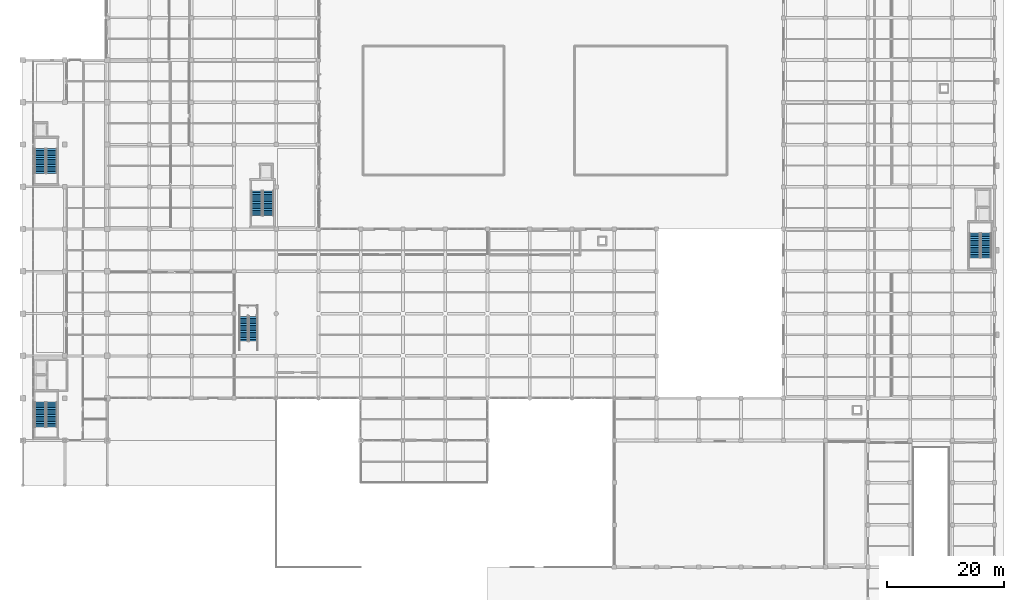
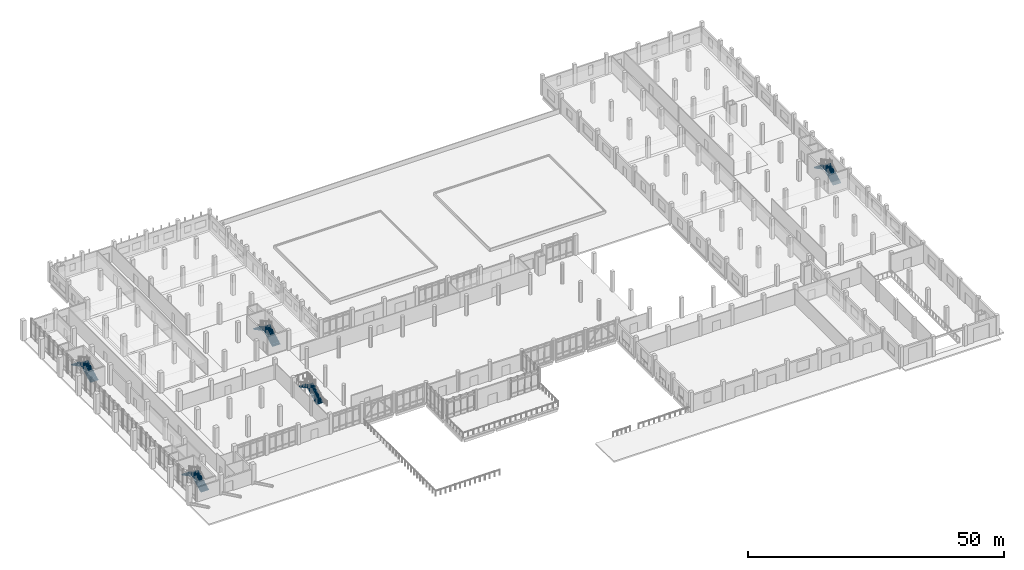
# One storey, part 44 of 59: 10 stair flights, 5 elements without a shape of their own.
"""IFC4 building model written with IfcOpenShell, lengths in metres."""

from ifc_helpers import new_model, si_unit, direction, frame, origin, place, context, subcontext, project, spatial, polyline, outline, extrude, material, type_object, element, aggregate, save


model = new_model("IFC4")

# Units and contexts
model_context = context("Model", 3, precision=1e-05, world=origin(), true_north=direction((0.0, 1.0)))
body_context = subcontext(model_context, "Body", "Model", "MODEL_VIEW")
ifc_project = project(units=[si_unit("LENGTHUNIT", "METRE"), si_unit("AREAUNIT", "SQUARE_METRE"), si_unit("VOLUMEUNIT", "CUBIC_METRE"), si_unit("PLANEANGLEUNIT", "RADIAN"), si_unit("MASSUNIT", "GRAM", prefix="KILO")], contexts=[model_context])

# Site, building, storey
site_placement = place(None, origin())
site = spatial("IfcSite", under=ifc_project, at=site_placement, CompositionType="ELEMENT")
building_placement = place(site_placement, origin())
building = spatial("IfcBuilding", under=site, at=building_placement, Name="Valkovuoma Quantum and Materials Research Institute", CompositionType="ELEMENT")
storey_placement = place(building_placement, origin())
storey = spatial("IfcBuildingStorey", under=building, at=storey_placement, Name="L00", CompositionType="ELEMENT", Elevation=0.0)

# Stair, stair flights
ifc_material_1 = material(Name="Concrete C40/50", Category="concrete")
stair_type_1 = type_object("IfcStairType", Name="Stair-ST-COR", PredefinedType="HALF_TURN_STAIR", material=ifc_material_1)
stair_1_placement = place(storey_placement, origin())
stair_1 = element("IfcStair", 1, at=stair_1_placement, inside=storey, type_object=stair_type_1, Name="L00 Exit Stair ST-1", PredefinedType="HALF_TURN_STAIR")
ifc_material_2 = material(Name="Concrete C40/50", Category="concrete")
stair_flight_type_1 = type_object("IfcStairFlightType", Name="Flight-STF-145", PredefinedType="STRAIGHT", material=ifc_material_2)
stair_flight_1_placement = place(storey_placement, frame((4.949951171875, 31.10009765625, 0.0), z_axis=(0.0, 0.0, 1.0), x_axis=(0.0, 1.0, 0.0)))
stair_flight_1 = element("IfcStairFlight", 2, at=stair_flight_1_placement, type_object=stair_flight_type_1, Name="ST-1 flight 1", NumberOfRisers=15, NumberOfTreads=14, PredefinedType="STRAIGHT", RiserHeight=0.16, TreadLength=0.3, context=body_context, shape_type="SweptSolid", body=[
    extrude(outline(polyline([(0.0, 0.0), (0.0, 0.159912109375), (0.300048828125, 0.159912109375), (0.300048828125, 0.320068359375), (0.60009765625, 0.320068359375), (0.60009765625, 0.47998046875), (0.89990234375, 0.47998046875), (0.89990234375, 0.639892578125), (1.199951171875, 0.639892578125), (1.199951171875, 0.800048828125), (1.5, 0.800048828125), (1.5, 0.9599609375), (1.800048828125, 0.9599609375), (1.800048828125, 1.1201171875), (2.10009765625, 1.1201171875), (2.10009765625, 1.280029296875), (2.39990234375, 1.280029296875), (2.39990234375, 1.43994140625), (2.699951171875, 1.43994140625), (2.699951171875, 1.60009765625), (3.0, 1.60009765625), (3.0, 1.760009765625), (3.300048828125, 1.760009765625), (3.300048828125, 1.919921875), (3.60009765625, 1.919921875), (3.60009765625, 2.080078125), (3.89990234375, 2.080078125), (3.89990234375, 2.239990234375), (4.199951171875, 2.239990234375), (4.199951171875, 2.39990234375), (4.199951171875, 2.070068359375), (0.318603515625, 0.0), (0.0, 0.0)])), frame((0.0, 0.89990234375, 0.0), z_axis=(0.0, -1.0, 0.0), x_axis=(1.0, 0.0, 0.0)), (0.0, 0.0, 1.0), 1.800048828125),
])
stair_flight_2_placement = place(storey_placement, frame((3.0, 35.300048828125, 2.39990234375), z_axis=(0.0, 0.0, 1.0), x_axis=(0.0, -1.0, 0.0)))
stair_flight_2 = element("IfcStairFlight", 3, at=stair_flight_2_placement, type_object=stair_flight_type_1, Name="ST-1 flight 2", NumberOfRisers=15, NumberOfTreads=14, PredefinedType="STRAIGHT", RiserHeight=0.16, TreadLength=0.3, context=body_context, shape_type="SweptSolid", body=[
    extrude(outline(polyline([(0.0, 0.0), (0.0, 0.159912109375), (0.300048828125, 0.159912109375), (0.300048828125, 0.320068359375), (0.60009765625, 0.320068359375), (0.60009765625, 0.47998046875), (0.89990234375, 0.47998046875), (0.89990234375, 0.639892578125), (1.199951171875, 0.639892578125), (1.199951171875, 0.800048828125), (1.5, 0.800048828125), (1.5, 0.9599609375), (1.800048828125, 0.9599609375), (1.800048828125, 1.1201171875), (2.10009765625, 1.1201171875), (2.10009765625, 1.280029296875), (2.39990234375, 1.280029296875), (2.39990234375, 1.43994140625), (2.699951171875, 1.43994140625), (2.699951171875, 1.60009765625), (3.0, 1.60009765625), (3.0, 1.760009765625), (3.300048828125, 1.760009765625), (3.300048828125, 1.919921875), (3.60009765625, 1.919921875), (3.60009765625, 2.080078125), (3.89990234375, 2.080078125), (3.89990234375, 2.239990234375), (4.199951171875, 2.239990234375), (4.199951171875, 2.39990234375), (4.199951171875, 2.070068359375), (0.318603515625, 0.0), (0.0, 0.0)])), frame((0.0, 0.89990234375, 0.0), z_axis=(0.0, -1.0, 0.0), x_axis=(1.0, 0.0, 0.0)), (0.0, 0.0, 1.0), 1.800048828125),
])
aggregate(stair_1, [stair_flight_1, stair_flight_2])

stair_2_placement = place(storey_placement, origin())
stair_2 = element("IfcStair", 4, at=stair_2_placement, inside=storey, type_object=stair_type_1, Name="L00 Exit Stair ST-2", PredefinedType="HALF_TURN_STAIR")
stair_flight_3_placement = place(storey_placement, frame((4.949951171875, 74.300048828125, 0.0), z_axis=(0.0, 0.0, 1.0), x_axis=(0.0, 1.0, 0.0)))
stair_flight_3 = element("IfcStairFlight", 5, at=stair_flight_3_placement, type_object=stair_flight_type_1, Name="ST-2 flight 1", NumberOfRisers=15, NumberOfTreads=14, PredefinedType="STRAIGHT", RiserHeight=0.16, TreadLength=0.3, context=body_context, shape_type="SweptSolid", body=[
    extrude(outline(polyline([(0.0, 0.0), (0.0, 0.159912109375), (0.300048828125, 0.159912109375), (0.300048828125, 0.320068359375), (0.60009765625, 0.320068359375), (0.60009765625, 0.47998046875), (0.89990234375, 0.47998046875), (0.89990234375, 0.639892578125), (1.199951171875, 0.639892578125), (1.199951171875, 0.800048828125), (1.5, 0.800048828125), (1.5, 0.9599609375), (1.800048828125, 0.9599609375), (1.800048828125, 1.1201171875), (2.10009765625, 1.1201171875), (2.10009765625, 1.280029296875), (2.39990234375, 1.280029296875), (2.39990234375, 1.43994140625), (2.699951171875, 1.43994140625), (2.699951171875, 1.60009765625), (3.0, 1.60009765625), (3.0, 1.760009765625), (3.300048828125, 1.760009765625), (3.300048828125, 1.919921875), (3.60009765625, 1.919921875), (3.60009765625, 2.080078125), (3.89990234375, 2.080078125), (3.89990234375, 2.239990234375), (4.199951171875, 2.239990234375), (4.199951171875, 2.39990234375), (4.199951171875, 2.070068359375), (0.318603515625, 0.0), (0.0, 0.0)])), frame((0.0, 0.89990234375, 0.0), z_axis=(0.0, -1.0, 0.0), x_axis=(1.0, 0.0, 0.0)), (0.0, 0.0, 1.0), 1.800048828125),
])
stair_flight_4_placement = place(storey_placement, frame((3.0, 78.5, 2.39990234375), z_axis=(0.0, 0.0, 1.0), x_axis=(0.0, -1.0, 0.0)))
stair_flight_4 = element("IfcStairFlight", 6, at=stair_flight_4_placement, type_object=stair_flight_type_1, Name="ST-2 flight 2", NumberOfRisers=15, NumberOfTreads=14, PredefinedType="STRAIGHT", RiserHeight=0.16, TreadLength=0.3, context=body_context, shape_type="SweptSolid", body=[
    extrude(outline(polyline([(0.0, 0.0), (0.0, 0.159912109375), (0.300048828125, 0.159912109375), (0.300048828125, 0.320068359375), (0.60009765625, 0.320068359375), (0.60009765625, 0.47998046875), (0.89990234375, 0.47998046875), (0.89990234375, 0.639892578125), (1.199951171875, 0.639892578125), (1.199951171875, 0.800048828125), (1.5, 0.800048828125), (1.5, 0.9599609375), (1.800048828125, 0.9599609375), (1.800048828125, 1.1201171875), (2.10009765625, 1.1201171875), (2.10009765625, 1.280029296875), (2.39990234375, 1.280029296875), (2.39990234375, 1.43994140625), (2.699951171875, 1.43994140625), (2.699951171875, 1.60009765625), (3.0, 1.60009765625), (3.0, 1.760009765625), (3.300048828125, 1.760009765625), (3.300048828125, 1.919921875), (3.60009765625, 1.919921875), (3.60009765625, 2.080078125), (3.89990234375, 2.080078125), (3.89990234375, 2.239990234375), (4.199951171875, 2.239990234375), (4.199951171875, 2.39990234375), (4.199951171875, 2.070068359375), (0.318603515625, 0.0), (0.0, 0.0)])), frame((0.0, 0.89990234375, 0.0), z_axis=(0.0, -1.0, 0.0), x_axis=(1.0, 0.0, 0.0)), (0.0, 0.0, 1.0), 1.800048828125),
])
aggregate(stair_2, [stair_flight_3, stair_flight_4])

stair_3_placement = place(storey_placement, origin())
stair_3 = element("IfcStair", 7, at=stair_3_placement, inside=storey, type_object=stair_type_1, Name="L00 Exit Stair ST-3", PredefinedType="HALF_TURN_STAIR")
stair_flight_5_placement = place(storey_placement, frame((164.14990234375, 59.89990234375, 0.0), z_axis=(0.0, 0.0, 1.0), x_axis=(0.0, 1.0, 0.0)))
stair_flight_5 = element("IfcStairFlight", 8, at=stair_flight_5_placement, type_object=stair_flight_type_1, Name="ST-3 flight 1", NumberOfRisers=15, NumberOfTreads=14, PredefinedType="STRAIGHT", RiserHeight=0.16, TreadLength=0.3, context=body_context, shape_type="SweptSolid", body=[
    extrude(outline(polyline([(0.0, 0.0), (0.0, 0.159912109375), (0.300048828125, 0.159912109375), (0.300048828125, 0.320068359375), (0.60009765625, 0.320068359375), (0.60009765625, 0.47998046875), (0.89990234375, 0.47998046875), (0.89990234375, 0.639892578125), (1.199951171875, 0.639892578125), (1.199951171875, 0.800048828125), (1.5, 0.800048828125), (1.5, 0.9599609375), (1.800048828125, 0.9599609375), (1.800048828125, 1.1201171875), (2.10009765625, 1.1201171875), (2.10009765625, 1.280029296875), (2.39990234375, 1.280029296875), (2.39990234375, 1.43994140625), (2.699951171875, 1.43994140625), (2.699951171875, 1.60009765625), (3.0, 1.60009765625), (3.0, 1.760009765625), (3.300048828125, 1.760009765625), (3.300048828125, 1.919921875), (3.60009765625, 1.919921875), (3.60009765625, 2.080078125), (3.89990234375, 2.080078125), (3.89990234375, 2.239990234375), (4.199951171875, 2.239990234375), (4.199951171875, 2.39990234375), (4.199951171875, 2.070068359375), (0.318603515625, 0.0), (0.0, 0.0)])), frame((0.0, 0.89990234375, 0.0), z_axis=(0.0, -1.0, 0.0), x_axis=(1.0, 0.0, 0.0)), (0.0, 0.0, 1.0), 1.800048828125),
])
stair_flight_6_placement = place(storey_placement, frame((162.199951171875, 64.10009765625, 2.39990234375), z_axis=(0.0, 0.0, 1.0), x_axis=(0.0, -1.0, 0.0)))
stair_flight_6 = element("IfcStairFlight", 9, at=stair_flight_6_placement, type_object=stair_flight_type_1, Name="ST-3 flight 2", NumberOfRisers=15, NumberOfTreads=14, PredefinedType="STRAIGHT", RiserHeight=0.16, TreadLength=0.3, context=body_context, shape_type="SweptSolid", body=[
    extrude(outline(polyline([(0.0, 0.0), (0.0, 0.159912109375), (0.300048828125, 0.159912109375), (0.300048828125, 0.320068359375), (0.60009765625, 0.320068359375), (0.60009765625, 0.47998046875), (0.89990234375, 0.47998046875), (0.89990234375, 0.639892578125), (1.199951171875, 0.639892578125), (1.199951171875, 0.800048828125), (1.5, 0.800048828125), (1.5, 0.9599609375), (1.800048828125, 0.9599609375), (1.800048828125, 1.1201171875), (2.10009765625, 1.1201171875), (2.10009765625, 1.280029296875), (2.39990234375, 1.280029296875), (2.39990234375, 1.43994140625), (2.699951171875, 1.43994140625), (2.699951171875, 1.60009765625), (3.0, 1.60009765625), (3.0, 1.760009765625), (3.300048828125, 1.760009765625), (3.300048828125, 1.919921875), (3.60009765625, 1.919921875), (3.60009765625, 2.080078125), (3.89990234375, 2.080078125), (3.89990234375, 2.239990234375), (4.199951171875, 2.239990234375), (4.199951171875, 2.39990234375), (4.199951171875, 2.070068359375), (0.318603515625, 0.0), (0.0, 0.0)])), frame((0.0, 0.89990234375, 0.0), z_axis=(0.0, -1.0, 0.0), x_axis=(1.0, 0.0, 0.0)), (0.0, 0.0, 1.0), 1.800048828125),
])
aggregate(stair_3, [stair_flight_5, stair_flight_6])

stair_4_placement = place(storey_placement, origin())
stair_4 = element("IfcStair", 10, at=stair_4_placement, inside=storey, type_object=stair_type_1, Name="L00 Exit Stair ST-4", PredefinedType="HALF_TURN_STAIR")
stair_flight_7_placement = place(storey_placement, frame((41.85009765625, 67.10009765625, 0.0), z_axis=(0.0, 0.0, 1.0), x_axis=(0.0, 1.0, 0.0)))
stair_flight_7 = element("IfcStairFlight", 11, at=stair_flight_7_placement, type_object=stair_flight_type_1, Name="ST-4 flight 1", NumberOfRisers=15, NumberOfTreads=14, PredefinedType="STRAIGHT", RiserHeight=0.16, TreadLength=0.3, context=body_context, shape_type="SweptSolid", body=[
    extrude(outline(polyline([(0.0, 0.0), (0.0, 0.159912109375), (0.300048828125, 0.159912109375), (0.300048828125, 0.320068359375), (0.60009765625, 0.320068359375), (0.60009765625, 0.47998046875), (0.89990234375, 0.47998046875), (0.89990234375, 0.639892578125), (1.199951171875, 0.639892578125), (1.199951171875, 0.800048828125), (1.5, 0.800048828125), (1.5, 0.9599609375), (1.800048828125, 0.9599609375), (1.800048828125, 1.1201171875), (2.10009765625, 1.1201171875), (2.10009765625, 1.280029296875), (2.39990234375, 1.280029296875), (2.39990234375, 1.43994140625), (2.699951171875, 1.43994140625), (2.699951171875, 1.60009765625), (3.0, 1.60009765625), (3.0, 1.760009765625), (3.300048828125, 1.760009765625), (3.300048828125, 1.919921875), (3.60009765625, 1.919921875), (3.60009765625, 2.080078125), (3.89990234375, 2.080078125), (3.89990234375, 2.239990234375), (4.199951171875, 2.239990234375), (4.199951171875, 2.39990234375), (4.199951171875, 2.070068359375), (0.318603515625, 0.0), (0.0, 0.0)])), frame((0.0, 0.89990234375, 0.0), z_axis=(0.0, -1.0, 0.0), x_axis=(1.0, 0.0, 0.0)), (0.0, 0.0, 1.0), 1.800048828125),
])
stair_flight_8_placement = place(storey_placement, frame((39.89990234375, 71.300048828125, 2.39990234375), z_axis=(0.0, 0.0, 1.0), x_axis=(0.0, -1.0, 0.0)))
stair_flight_8 = element("IfcStairFlight", 12, at=stair_flight_8_placement, type_object=stair_flight_type_1, Name="ST-4 flight 2", NumberOfRisers=15, NumberOfTreads=14, PredefinedType="STRAIGHT", RiserHeight=0.16, TreadLength=0.3, context=body_context, shape_type="SweptSolid", body=[
    extrude(outline(polyline([(0.0, 0.0), (0.0, 0.159912109375), (0.300048828125, 0.159912109375), (0.300048828125, 0.320068359375), (0.60009765625, 0.320068359375), (0.60009765625, 0.47998046875), (0.89990234375, 0.47998046875), (0.89990234375, 0.639892578125), (1.199951171875, 0.639892578125), (1.199951171875, 0.800048828125), (1.5, 0.800048828125), (1.5, 0.9599609375), (1.800048828125, 0.9599609375), (1.800048828125, 1.1201171875), (2.10009765625, 1.1201171875), (2.10009765625, 1.280029296875), (2.39990234375, 1.280029296875), (2.39990234375, 1.43994140625), (2.699951171875, 1.43994140625), (2.699951171875, 1.60009765625), (3.0, 1.60009765625), (3.0, 1.760009765625), (3.300048828125, 1.760009765625), (3.300048828125, 1.919921875), (3.60009765625, 1.919921875), (3.60009765625, 2.080078125), (3.89990234375, 2.080078125), (3.89990234375, 2.239990234375), (4.199951171875, 2.239990234375), (4.199951171875, 2.39990234375), (4.199951171875, 2.070068359375), (0.318603515625, 0.0), (0.0, 0.0)])), frame((0.0, 0.89990234375, 0.0), z_axis=(0.0, -1.0, 0.0), x_axis=(1.0, 0.0, 0.0)), (0.0, 0.0, 1.0), 1.800048828125),
])
aggregate(stair_4, [stair_flight_7, stair_flight_8])

ifc_material_3 = material(Name="Concrete C40/50", Category="concrete")
stair_type_2 = type_object("IfcStairType", Name="Stair-ST-ATR", PredefinedType="HALF_TURN_STAIR", material=ifc_material_3)
stair_5_placement = place(storey_placement, origin())
stair_5 = element("IfcStair", 13, at=stair_5_placement, inside=storey, type_object=stair_type_2, Name="L00 Atrium Stair ST-5", PredefinedType="HALF_TURN_STAIR")
ifc_material_4 = material(Name="Concrete C40/50", Category="concrete")
stair_flight_type_2 = type_object("IfcStairFlightType", Name="Flight-STF-150", PredefinedType="STRAIGHT", material=ifc_material_4)
stair_flight_9_placement = place(storey_placement, frame((39.300048828125, 45.699951171875, 0.0), z_axis=(0.0, 0.0, 1.0), x_axis=(0.0, 1.0, 0.0)))
stair_flight_9 = element("IfcStairFlight", 14, at=stair_flight_9_placement, type_object=stair_flight_type_2, Name="ST-5 flight 1", NumberOfRisers=15, NumberOfTreads=14, PredefinedType="STRAIGHT", RiserHeight=0.16, TreadLength=0.3, context=body_context, shape_type="SweptSolid", body=[
    extrude(outline(polyline([(0.0, 0.0), (0.0, 0.159912109375), (0.300048828125, 0.159912109375), (0.300048828125, 0.320068359375), (0.60009765625, 0.320068359375), (0.60009765625, 0.47998046875), (0.89990234375, 0.47998046875), (0.89990234375, 0.639892578125), (1.199951171875, 0.639892578125), (1.199951171875, 0.800048828125), (1.5, 0.800048828125), (1.5, 0.9599609375), (1.800048828125, 0.9599609375), (1.800048828125, 1.1201171875), (2.10009765625, 1.1201171875), (2.10009765625, 1.280029296875), (2.39990234375, 1.280029296875), (2.39990234375, 1.43994140625), (2.699951171875, 1.43994140625), (2.699951171875, 1.60009765625), (3.0, 1.60009765625), (3.0, 1.760009765625), (3.300048828125, 1.760009765625), (3.300048828125, 1.919921875), (3.60009765625, 1.919921875), (3.60009765625, 2.080078125), (3.89990234375, 2.080078125), (3.89990234375, 2.239990234375), (4.199951171875, 2.239990234375), (4.199951171875, 2.39990234375), (4.199951171875, 2.070068359375), (0.318603515625, 0.0), (0.0, 0.0)])), frame((0.0, 0.75, 0.0), z_axis=(0.0, -1.0, 0.0), x_axis=(1.0, 0.0, 0.0)), (0.0, 0.0, 1.0), 1.5),
])
stair_flight_10_placement = place(storey_placement, frame((37.64990234375, 49.89990234375, 2.39990234375), z_axis=(0.0, 0.0, 1.0), x_axis=(0.0, -1.0, 0.0)))
stair_flight_10 = element("IfcStairFlight", 15, at=stair_flight_10_placement, type_object=stair_flight_type_2, Name="ST-5 flight 2", NumberOfRisers=15, NumberOfTreads=14, PredefinedType="STRAIGHT", RiserHeight=0.16, TreadLength=0.3, context=body_context, shape_type="SweptSolid", body=[
    extrude(outline(polyline([(0.0, 0.0), (0.0, 0.159912109375), (0.300048828125, 0.159912109375), (0.300048828125, 0.320068359375), (0.60009765625, 0.320068359375), (0.60009765625, 0.47998046875), (0.89990234375, 0.47998046875), (0.89990234375, 0.639892578125), (1.199951171875, 0.639892578125), (1.199951171875, 0.800048828125), (1.5, 0.800048828125), (1.5, 0.9599609375), (1.800048828125, 0.9599609375), (1.800048828125, 1.1201171875), (2.10009765625, 1.1201171875), (2.10009765625, 1.280029296875), (2.39990234375, 1.280029296875), (2.39990234375, 1.43994140625), (2.699951171875, 1.43994140625), (2.699951171875, 1.60009765625), (3.0, 1.60009765625), (3.0, 1.760009765625), (3.300048828125, 1.760009765625), (3.300048828125, 1.919921875), (3.60009765625, 1.919921875), (3.60009765625, 2.080078125), (3.89990234375, 2.080078125), (3.89990234375, 2.239990234375), (4.199951171875, 2.239990234375), (4.199951171875, 2.39990234375), (4.199951171875, 2.070068359375), (0.318603515625, 0.0), (0.0, 0.0)])), frame((0.0, 0.75, 0.0), z_axis=(0.0, -1.0, 0.0), x_axis=(1.0, 0.0, 0.0)), (0.0, 0.0, 1.0), 1.5),
])
aggregate(stair_5, [stair_flight_9, stair_flight_10])

save(model, "model.ifc")
